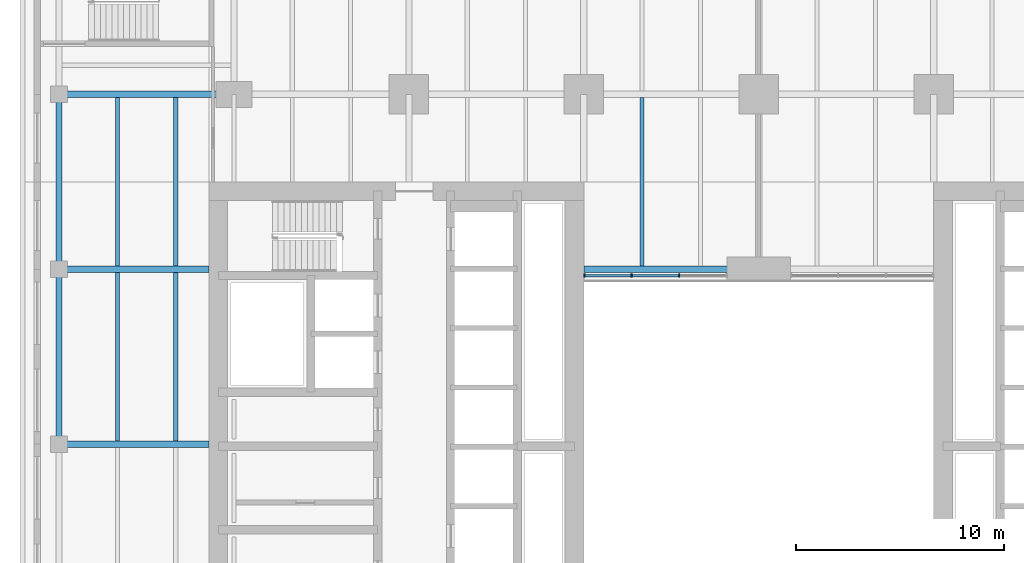
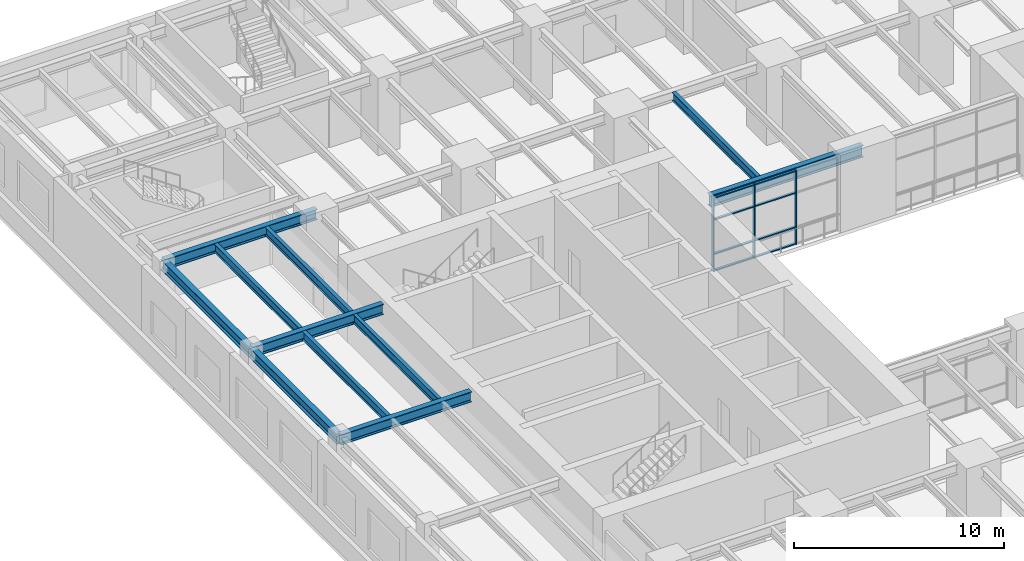
# One storey, part 8 of 30: 11 beams, 11 members, 1 element without a shape of its own.
"""IFC4 building model written with IfcOpenShell, lengths in metres."""

from ifc_helpers import new_model, si_unit, direction, frame, origin, origin_2d, place, context, subcontext, project, spatial, rectangle, i_section, extrude, material, material_profile, profile_set, type_object, element, aggregate, save


model = new_model("IFC4")

# Units and contexts
model_context = context("Model", 3, precision=1e-05, world=origin(), true_north=direction((0.0, 1.0)))
body_context = subcontext(model_context, "Body", "Model", "MODEL_VIEW")
ifc_project = project(units=[si_unit("LENGTHUNIT", "METRE"), si_unit("AREAUNIT", "SQUARE_METRE"), si_unit("VOLUMEUNIT", "CUBIC_METRE"), si_unit("PLANEANGLEUNIT", "RADIAN"), si_unit("MASSUNIT", "GRAM", prefix="KILO")], contexts=[model_context])

# Site, building, storey
site_placement = place(None, origin())
site = spatial("IfcSite", under=ifc_project, at=site_placement, CompositionType="ELEMENT")
building_placement = place(site_placement, origin())
building = spatial("IfcBuilding", under=site, at=building_placement, Name="Claustro Exchange Tower", CompositionType="ELEMENT")
storey_placement = place(building_placement, frame((0.0, 0.0, 5.39990234375)))
storey = spatial("IfcBuildingStorey", under=building, at=storey_placement, Name="L01", CompositionType="ELEMENT", Elevation=5.39990234375)

# Beams
ifc_material_1 = material(Name="Steel S355", Category="steel")
ifc_material_profile_1 = material_profile(ifc_material_1, i_section(OverallWidth=0.300048828125, OverallDepth=0.60009765625, WebThickness=0.015380859375, FlangeThickness=0.030029296875, FilletRadius=0.027099609375, at=origin_2d()), Name="HE 600 B")
ifc_profile_set_1 = profile_set([ifc_material_profile_1], Name="Steel S355")
beam_type_1 = type_object("IfcBeamType", Name="B1 HE 600 B floor girder", PredefinedType="BEAM", material=ifc_profile_set_1)
beam_1_placement = place(storey_placement, frame((-8.39990234375, 25.199951171875, 4.0), z_axis=(0.0, 1.0, 0.0), x_axis=(-1.0, 0.0, 0.0)))
element("IfcBeam", 1, at=beam_1_placement, inside=storey, type_object=beam_type_1, Name="Beam B1 L02", PredefinedType="BEAM", context=body_context, shape_type="SweptSolid", body=[
    extrude(i_section(OverallWidth=0.300048828125, OverallDepth=0.60009765625, WebThickness=0.015380859375, FlangeThickness=0.030029296875, FilletRadius=0.027099609375, at=origin_2d()), origin(), (0.0, 0.0, 1.0), 8.400146484375),
])
beam_2_placement = place(storey_placement, frame((-8.39990234375, 33.60009765625, 4.0), z_axis=(0.0, 1.0, 0.0), x_axis=(-1.0, 0.0, 0.0)))
element("IfcBeam", 2, at=beam_2_placement, inside=storey, type_object=beam_type_1, Name="Beam B1 L02", PredefinedType="BEAM", context=body_context, shape_type="SweptSolid", body=[
    extrude(i_section(OverallWidth=0.300048828125, OverallDepth=0.60009765625, WebThickness=0.015380859375, FlangeThickness=0.030029296875, FilletRadius=0.027099609375, at=origin_2d()), origin(), (0.0, 0.0, 1.0), 8.39990234375),
])
for number, where, z_axis, x_axis, name in (
    (3, (-8.39990234375, 25.199951171875, 4.0), (1.0, 0.0, 0.0), (0.0, 1.0, 0.0), "Beam B1 L02"),
    (4, (-8.39990234375, 33.60009765625, 4.0), (1.0, 0.0, 0.0), (0.0, 1.0, 0.0), "Beam B1 L02"),
):
    element("IfcBeam", number, at=place(storey_placement, frame(where, z_axis=z_axis, x_axis=x_axis)), inside=storey, type_object=beam_type_1, Name=name, PredefinedType="BEAM", context=body_context, shape_type="SweptSolid", body=[
        extrude(i_section(OverallWidth=0.300048828125, OverallDepth=0.60009765625, WebThickness=0.015380859375, FlangeThickness=0.030029296875, FilletRadius=0.027099609375, at=origin_2d()), origin(), (0.0, 0.0, 1.0), 7.199951171875),
    ])
beam_3_placement = place(storey_placement, frame((-8.39990234375, 42.0, 4.0), z_axis=(1.0, 0.0, 0.0), x_axis=(0.0, 1.0, 0.0)))
element("IfcBeam", 5, at=beam_3_placement, inside=storey, type_object=beam_type_1, Name="Beam B1 L02", PredefinedType="BEAM", context=body_context, shape_type="SweptSolid", body=[
    extrude(i_section(OverallWidth=0.300048828125, OverallDepth=0.60009765625, WebThickness=0.015380859375, FlangeThickness=0.030029296875, FilletRadius=0.027099609375, at=origin_2d()), origin(), (0.0, 0.0, 1.0), 8.39990234375),
])
ifc_material_2 = material(Name="Steel S355", Category="steel")
ifc_material_profile_2 = material_profile(ifc_material_2, i_section(OverallWidth=0.300048828125, OverallDepth=0.68994140625, WebThickness=0.014404296875, FlangeThickness=0.027099609375, FilletRadius=0.027099609375, at=origin_2d()), Name="HE 700 A")
ifc_profile_set_2 = profile_set([ifc_material_profile_2], Name="Steel S355")
beam_type_2 = type_object("IfcBeamType", Name="B13 HE 700 A light well edge girder", PredefinedType="BEAM", material=ifc_profile_set_2)
beam_4_placement = place(storey_placement, frame((16.800048828125, 33.60009765625, 3.955078125), z_axis=(1.0, 0.0, 0.0), x_axis=(0.0, 1.0, 0.0)))
element("IfcBeam", 6, at=beam_4_placement, inside=storey, type_object=beam_type_2, Name="Beam B13 L02", PredefinedType="BEAM", context=body_context, shape_type="SweptSolid", body=[
    extrude(i_section(OverallWidth=0.300048828125, OverallDepth=0.68994140625, WebThickness=0.014404296875, FlangeThickness=0.027099609375, FilletRadius=0.027099609375, at=origin_2d()), origin(), (0.0, 0.0, 1.0), 8.39990234375),
])
ifc_material_3 = material(Name="Steel S355", Category="steel")
ifc_material_profile_3 = material_profile(ifc_material_3, i_section(OverallWidth=0.199951171875, OverallDepth=0.5, WebThickness=0.01025390625, FlangeThickness=0.01611328125, FilletRadius=0.02099609375, at=origin_2d()), Name="IPE 500")
ifc_profile_set_3 = profile_set([ifc_material_profile_3], Name="Steel S355")
beam_type_3 = type_object("IfcBeamType", Name="B2 IPE 500 secondary beam", PredefinedType="BEAM", material=ifc_profile_set_3)
for number, where, z_axis, x_axis, name in (
    (7, (-5.60009765625, 25.35009765625, 4.050048828125), (0.0, 1.0, 0.0), (-1.0, 0.0, 0.0), "Beam B2 L02"),
    (8, (-2.800048828125, 25.35009765625, 4.050048828125), (0.0, 1.0, 0.0), (-1.0, 0.0, 0.0), "Beam B2 L02"),
):
    element("IfcBeam", number, at=place(storey_placement, frame(where, z_axis=z_axis, x_axis=x_axis)), inside=storey, type_object=beam_type_3, Name=name, PredefinedType="BEAM", context=body_context, shape_type="SweptSolid", body=[
        extrude(i_section(OverallWidth=0.199951171875, OverallDepth=0.5, WebThickness=0.01025390625, FlangeThickness=0.01611328125, FilletRadius=0.02099609375, at=origin_2d()), origin(), (0.0, 0.0, 1.0), 8.099853515625),
    ])
for number, where, z_axis, x_axis, name in (
    (9, (-5.60009765625, 33.75, 4.050048828125), (0.0, 1.0, 0.0), (-1.0, 0.0, 0.0), "Beam B2 L02"),
    (10, (-2.800048828125, 33.75, 4.050048828125), (0.0, 1.0, 0.0), (-1.0, 0.0, 0.0), "Beam B2 L02"),
    (11, (19.60009765625, 33.75, 4.050048828125), (0.0, 1.0, 0.0), (-1.0, 0.0, 0.0), "Beam B2 L02"),
):
    element("IfcBeam", number, at=place(storey_placement, frame(where, z_axis=z_axis, x_axis=x_axis)), inside=storey, type_object=beam_type_3, Name=name, PredefinedType="BEAM", context=body_context, shape_type="SweptSolid", body=[
        extrude(i_section(OverallWidth=0.199951171875, OverallDepth=0.5, WebThickness=0.01025390625, FlangeThickness=0.01611328125, FilletRadius=0.02099609375, at=origin_2d()), origin(), (0.0, 0.0, 1.0), 8.10009765625),
    ])

# Curtain wall, members
ifc_material_4 = material(Name="Aluminium frame, clear double glazing", Category="aluminium")
curtain_wall_type = type_object("IfcCurtainWallType", Name="CW3 light well curtain wall", PredefinedType="USERDEFINED", material=ifc_material_4)
curtain_wall_placement = place(storey_placement, origin())
curtain_wall = element("IfcCurtainWall", 12, at=curtain_wall_placement, inside=storey, type_object=curtain_wall_type, Name="Curtain wall CW3 L01", ObjectType="STICK CURTAIN WALL", PredefinedType="USERDEFINED")
ifc_material_5 = material(Name="Aluminium mullion", Category="aluminium")
ifc_material_profile_4 = material_profile(ifc_material_5, rectangle(XDim=0.179931640625, YDim=0.06494140625, at=origin_2d()), Name="CW3-M 65x180")
ifc_profile_set_4 = profile_set([ifc_material_profile_4], Name="Aluminium mullion")
member_type_1 = type_object("IfcMemberType", Name="CW3-M 65 x 180 mullion", PredefinedType="MULLION", material=ifc_profile_set_4)
member_1_placement = place(storey_placement, frame((16.83251953125, 33.300048828125, 0.0), z_axis=(0.0, 0.0, 1.0), x_axis=(0.0, 1.0, 0.0)))
member_1 = element("IfcMember", 13, at=member_1_placement, type_object=member_type_1, Name="CW3 mullion 1", PredefinedType="MULLION", context=body_context, shape_type="SweptSolid", body=[
    extrude(rectangle(XDim=0.179931640625, YDim=0.06494140625, at=origin_2d()), origin(), (0.0, 0.0, 1.0), 4.300048828125),
])
member_2_placement = place(storey_placement, frame((19.091552734375, 33.300048828125, 0.0), z_axis=(0.0, 0.0, 1.0), x_axis=(0.0, 1.0, 0.0)))
member_2 = element("IfcMember", 14, at=member_2_placement, type_object=member_type_1, Name="CW3 mullion 2", PredefinedType="MULLION", context=body_context, shape_type="SweptSolid", body=[
    extrude(rectangle(XDim=0.179931640625, YDim=0.06494140625, at=origin_2d()), origin(), (0.0, 0.0, 1.0), 4.300048828125),
])
member_3_placement = place(storey_placement, frame((21.38330078125, 33.300048828125, 0.0), z_axis=(0.0, 0.0, 1.0), x_axis=(0.0, 1.0, 0.0)))
member_3 = element("IfcMember", 15, at=member_3_placement, type_object=member_type_1, Name="CW3 mullion 3", PredefinedType="MULLION", context=body_context, shape_type="SweptSolid", body=[
    extrude(rectangle(XDim=0.179931640625, YDim=0.06494140625, at=origin_2d()), origin(), (0.0, 0.0, 1.0), 4.300048828125),
])
ifc_material_6 = material(Name="Aluminium transom", Category="aluminium")
ifc_material_profile_5 = material_profile(ifc_material_6, rectangle(XDim=0.1298828125, YDim=0.06494140625, at=origin_2d()), Name="CW3-T 65x130")
ifc_profile_set_5 = profile_set([ifc_material_profile_5], Name="Aluminium transom")
member_type_2 = type_object("IfcMemberType", Name="CW3-T 65 x 130 transom", PredefinedType="USERDEFINED", material=ifc_profile_set_5)
member_4_placement = place(storey_placement, frame((16.864990234375, 33.300048828125, 0.03271484375), z_axis=(1.0, 0.0, 0.0), x_axis=(0.0, 1.0, 0.0)))
member_4 = element("IfcMember", 16, at=member_4_placement, type_object=member_type_2, Name="CW3 transom 1.1", ObjectType="TRANSOM", PredefinedType="USERDEFINED", context=body_context, shape_type="SweptSolid", body=[
    extrude(rectangle(XDim=0.1298828125, YDim=0.06494140625, at=origin_2d()), origin(), (0.0, 0.0, 1.0), 2.194091796875),
])
member_5_placement = place(storey_placement, frame((16.864990234375, 33.300048828125, 1.0), z_axis=(1.0, 0.0, 0.0), x_axis=(0.0, 1.0, 0.0)))
member_5 = element("IfcMember", 17, at=member_5_placement, type_object=member_type_2, Name="CW3 transom 1.2", ObjectType="TRANSOM", PredefinedType="USERDEFINED", context=body_context, shape_type="SweptSolid", body=[
    extrude(rectangle(XDim=0.1298828125, YDim=0.06494140625, at=origin_2d()), origin(), (0.0, 0.0, 1.0), 2.194091796875),
])
member_6_placement = place(storey_placement, frame((16.864990234375, 33.300048828125, 3.0), z_axis=(1.0, 0.0, 0.0), x_axis=(0.0, 1.0, 0.0)))
member_6 = element("IfcMember", 18, at=member_6_placement, type_object=member_type_2, Name="CW3 transom 1.3", ObjectType="TRANSOM", PredefinedType="USERDEFINED", context=body_context, shape_type="SweptSolid", body=[
    extrude(rectangle(XDim=0.1298828125, YDim=0.06494140625, at=origin_2d()), origin(), (0.0, 0.0, 1.0), 2.194091796875),
])
member_7_placement = place(storey_placement, frame((16.864990234375, 33.300048828125, 4.267578125), z_axis=(1.0, 0.0, 0.0), x_axis=(0.0, 1.0, 0.0)))
member_7 = element("IfcMember", 19, at=member_7_placement, type_object=member_type_2, Name="CW3 transom 1.4", ObjectType="TRANSOM", PredefinedType="USERDEFINED", context=body_context, shape_type="SweptSolid", body=[
    extrude(rectangle(XDim=0.1298828125, YDim=0.06494140625, at=origin_2d()), origin(), (0.0, 0.0, 1.0), 2.194091796875),
])
member_8_placement = place(storey_placement, frame((19.124267578125, 33.300048828125, 0.03271484375), z_axis=(1.0, 0.0, 0.0), x_axis=(0.0, 1.0, 0.0)))
member_8 = element("IfcMember", 20, at=member_8_placement, type_object=member_type_2, Name="CW3 transom 2.1", ObjectType="TRANSOM", PredefinedType="USERDEFINED", context=body_context, shape_type="SweptSolid", body=[
    extrude(rectangle(XDim=0.1298828125, YDim=0.06494140625, at=origin_2d()), origin(), (0.0, 0.0, 1.0), 2.2265625),
])
member_9_placement = place(storey_placement, frame((19.124267578125, 33.300048828125, 1.0), z_axis=(1.0, 0.0, 0.0), x_axis=(0.0, 1.0, 0.0)))
member_9 = element("IfcMember", 21, at=member_9_placement, type_object=member_type_2, Name="CW3 transom 2.2", ObjectType="TRANSOM", PredefinedType="USERDEFINED", context=body_context, shape_type="SweptSolid", body=[
    extrude(rectangle(XDim=0.1298828125, YDim=0.06494140625, at=origin_2d()), origin(), (0.0, 0.0, 1.0), 2.2265625),
])
member_10_placement = place(storey_placement, frame((19.124267578125, 33.300048828125, 3.0), z_axis=(1.0, 0.0, 0.0), x_axis=(0.0, 1.0, 0.0)))
member_10 = element("IfcMember", 22, at=member_10_placement, type_object=member_type_2, Name="CW3 transom 2.3", ObjectType="TRANSOM", PredefinedType="USERDEFINED", context=body_context, shape_type="SweptSolid", body=[
    extrude(rectangle(XDim=0.1298828125, YDim=0.06494140625, at=origin_2d()), origin(), (0.0, 0.0, 1.0), 2.2265625),
])
member_11_placement = place(storey_placement, frame((19.124267578125, 33.300048828125, 4.267578125), z_axis=(1.0, 0.0, 0.0), x_axis=(0.0, 1.0, 0.0)))
member_11 = element("IfcMember", 23, at=member_11_placement, type_object=member_type_2, Name="CW3 transom 2.4", ObjectType="TRANSOM", PredefinedType="USERDEFINED", context=body_context, shape_type="SweptSolid", body=[
    extrude(rectangle(XDim=0.1298828125, YDim=0.06494140625, at=origin_2d()), origin(), (0.0, 0.0, 1.0), 2.2265625),
])
aggregate(curtain_wall, [member_1, member_2, member_3, member_4, member_5, member_6, member_7, member_8, member_9, member_10, member_11])

save(model, "model.ifc")
